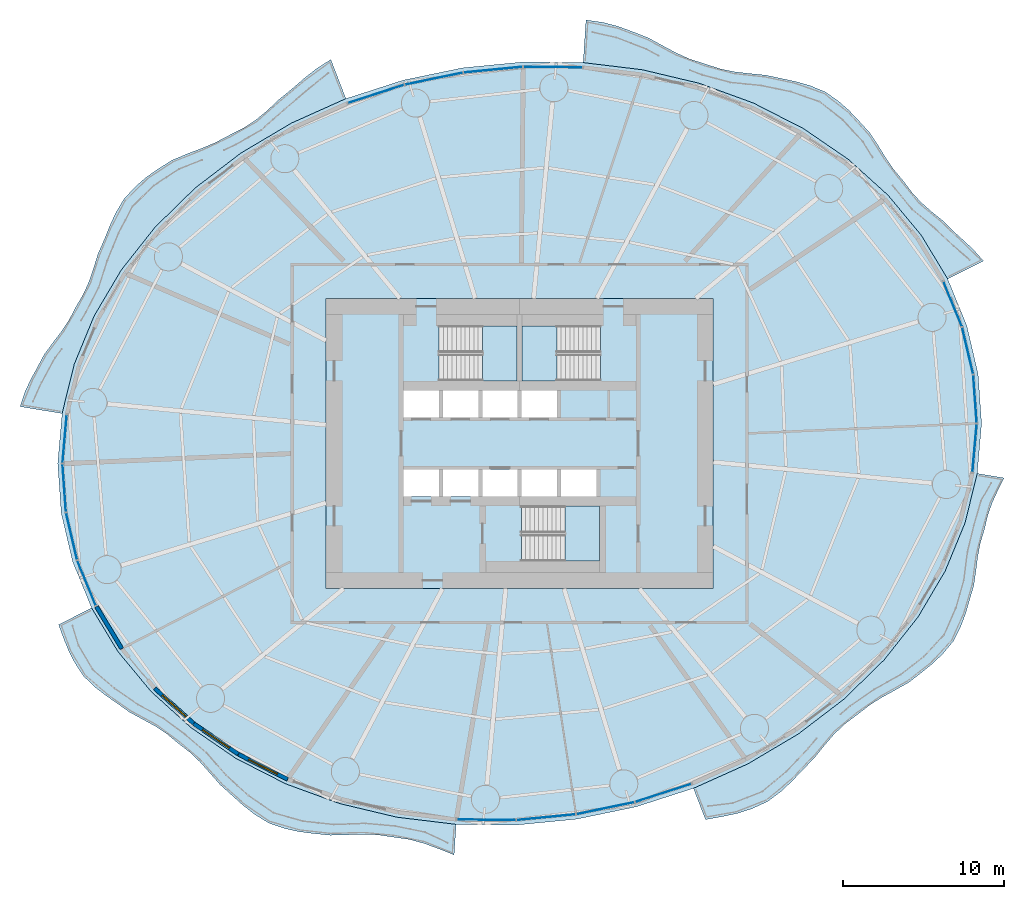
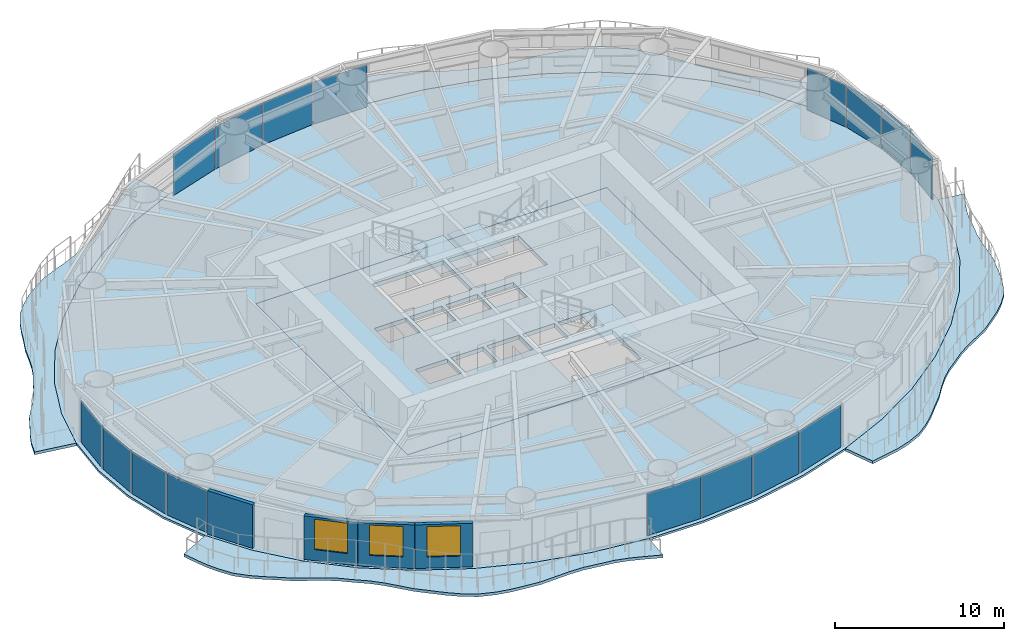
# One storey, part 7 of 16: 16 plates, 9 slabs, 4 walls, 3 windows, 3 openings, 19 elements without a shape of their own.
"""IFC4 building model written with IfcOpenShell, lengths in metres."""

from ifc_helpers import new_model, si_unit, direction, frame, frame_2d, origin, origin_2d, place, context, subcontext, project, spatial, polyline, rectangle, outline, extrude, material, layer, layer_set, type_object, element, fill, aggregate, save


model = new_model("IFC4")

# Units and contexts
model_context = context("Model", 3, precision=1e-05, world=origin(), true_north=direction((0.0, 1.0)))
body_context = subcontext(model_context, "Body", "Model", "MODEL_VIEW")
ifc_project = project(units=[si_unit("LENGTHUNIT", "METRE"), si_unit("AREAUNIT", "SQUARE_METRE"), si_unit("VOLUMEUNIT", "CUBIC_METRE"), si_unit("PLANEANGLEUNIT", "RADIAN"), si_unit("MASSUNIT", "GRAM", prefix="KILO")], contexts=[model_context])

# Site, building, storey
site_placement = place(None, origin())
site = spatial("IfcSite", under=ifc_project, at=site_placement, CompositionType="ELEMENT")
building_placement = place(site_placement, origin())
building = spatial("IfcBuilding", under=site, at=building_placement, Name="Vermilion Reach Broadcast Tower", CompositionType="ELEMENT")
storey_placement = place(building_placement, frame((0.0, 0.0, 69.300048828125)))
storey = spatial("IfcBuildingStorey", under=building, at=storey_placement, Name="L14", CompositionType="ELEMENT", Elevation=69.300048828125)

# Slabs
ifc_material_1 = material(Name="Concrete C40/50", Category="concrete")
ifc_layer_1 = layer(ifc_material_1, 0.199951171875)
ifc_layer_set_1 = layer_set([ifc_layer_1], Name="Balcony slab 200")
slab_type_1 = type_object("IfcSlabType", Name="Balcony slab 200", PredefinedType="FLOOR", material=ifc_layer_set_1)
placement_1 = place(storey_placement, frame((0.0, 0.0, -0.199951171875)))
element("IfcSlab", 1, at=placement_1, inside=storey, type_object=slab_type_1, Name="Balcony slab L14 group 1", PredefinedType="FLOOR", context=body_context, shape_type="SweptSolid", body=[
    extrude(outline(polyline([(20.542236328125, 10.201171875), (18.908447265625, 12.905029296875), (16.8486328125, 15.387939453125), (14.397705078125, 17.607421875), (11.597900390625, 19.52587890625), (8.4970703125, 21.110107421875), (5.148193359375, 22.3330078125), (1.6083984375, 23.174072265625), (-2.0615234375, 23.618408203125), (-1.887939453125, 26.260498046875), (-0.82861328125, 26.11279296875), (0.073486328125, 25.875), (0.965087890625, 25.55029296875), (1.963134765625, 25.158935546875), (2.895263671875, 24.655517578125), (3.724365234375, 24.210205078125), (4.569580078125, 23.83349609375), (5.5087890625, 23.5341796875), (6.426025390625, 23.23388671875), (7.30859375, 23.05224609375), (8.21826171875, 22.9453125), (9.253173828125, 22.84375), (10.250732421875, 22.62939453125), (11.132568359375, 22.44189453125), (11.986328125, 22.19921875), (12.951904296875, 21.80224609375), (13.785400390625, 21.217041015625), (14.426513671875, 20.65185546875), (15.0234375, 20.02197265625), (15.7080078125, 19.26708984375), (16.25830078125, 18.430419921875), (16.71044921875, 17.6982421875), (17.191162109375, 16.99755859375), (17.785888671875, 16.285400390625), (18.32568359375, 15.565185546875), (18.872314453125, 14.970947265625), (19.4814453125, 14.42822265625), (20.21728515625, 13.83544921875), (20.880615234375, 13.173828125), (21.494384765625, 12.6220703125), (22.096435546875, 12.063232421875), (22.763427734375, 11.319091796875), (20.542236328125, 10.201171875)])), origin(), (0.0, 0.0, 1.0), 0.199951171875),
])
element("IfcSlab", 2, at=placement_1, inside=storey, type_object=slab_type_1, Name="Balcony slab L14 group 2", PredefinedType="FLOOR", context=body_context, shape_type="SweptSolid", body=[
    extrude(outline(polyline([(-16.7763671875, 21.382568359375), (-20.148681640625, 19.8681640625), (-23.27880859375, 18.013671875), (-26.11328125, 15.85107421875), (-28.603759765625, 13.417236328125), (-30.707275390625, 10.753662109375), (-32.38818359375, 7.90625), (-33.617431640625, 4.923583984375), (-34.374267578125, 1.856689453125), (-36.98388671875, 2.290283203125), (-36.6630859375, 3.23486328125), (-36.322509765625, 3.96435546875), (-35.930908203125, 4.68115234375), (-35.477294921875, 5.53271484375), (-34.89111328125, 6.321044921875), (-34.387939453125, 6.98583984375), (-33.935791015625, 7.671875), (-33.5185546875, 8.46923828125), (-33.055908203125, 9.260498046875), (-32.715087890625, 10.01904296875), (-32.43994140625, 10.816650390625), (-32.152099609375, 11.744140625), (-31.75390625, 12.66162109375), (-31.42333984375, 13.481689453125), (-31.060546875, 14.2763671875), (-30.539794921875, 15.159423828125), (-29.833251953125, 15.9208984375), (-29.176513671875, 16.494384765625), (-28.45458984375, 17.001220703125), (-27.583984375, 17.55224609375), (-26.60693359375, 17.96728515625), (-25.73583984375, 18.29541015625), (-24.886474609375, 18.6513671875), (-24.017822265625, 19.109619140625), (-23.1337890625, 19.553466796875), (-22.371826171875, 20.051513671875), (-21.661865234375, 20.6376953125), (-20.912353515625, 21.340576171875), (-20.095947265625, 22.006591796875), (-19.365966796875, 22.63720703125), (-18.619384765625, 23.23046875), (-17.710205078125, 23.810302734375), (-16.7763671875, 21.382568359375)])), origin(), (0.0, 0.0, 1.0), 0.199951171875),
])
element("IfcSlab", 3, at=placement_1, inside=storey, type_object=slab_type_1, Name="Balcony slab L14 group 3", PredefinedType="FLOOR", context=body_context, shape_type="SweptSolid", body=[
    extrude(outline(polyline([(-32.542236328125, -10.201171875), (-30.908447265625, -12.905029296875), (-28.8486328125, -15.387939453125), (-26.397705078125, -17.607421875), (-23.597900390625, -19.52587890625), (-20.4970703125, -21.110107421875), (-17.148193359375, -22.3330078125), (-13.6083984375, -23.174072265625), (-9.9384765625, -23.618408203125), (-10.06298828125, -25.513427734375), (-11.051513671875, -25.1220703125), (-11.94287109375, -24.794921875), (-12.844482421875, -24.553955078125), (-13.82958984375, -24.411376953125), (-14.80322265625, -24.268798828125), (-15.72998046875, -24.234375), (-16.672119140625, -24.264892578125), (-17.737060546875, -24.294921875), (-18.774658203125, -24.1884765625), (-19.681640625, -24.073974609375), (-20.560302734375, -23.881591796875), (-21.556396484375, -23.5390625), (-22.438720703125, -22.997314453125), (-23.137451171875, -22.451416015625), (-23.80712890625, -21.848876953125), (-24.57177734375, -21.16357421875), (-25.231689453125, -20.4091796875), (-25.8134765625, -19.757080078125), (-26.43408203125, -19.161865234375), (-27.17431640625, -18.5908203125), (-27.87646484375, -18.0087890625), (-28.572998046875, -17.54638671875), (-29.31591796875, -17.13525390625), (-30.185546875, -16.668212890625), (-30.97314453125, -16.1025390625), (-31.663330078125, -15.627197265625), (-32.318603515625, -15.122802734375), (-33.046630859375, -14.425048828125), (-33.584716796875, -13.599365234375), (-33.951171875, -12.898193359375), (-34.252197265625, -12.1572265625), (-34.592041015625, -11.23291015625), (-32.542236328125, -10.201171875)])), origin(), (0.0, 0.0, 1.0), 0.199951171875),
])
element("IfcSlab", 4, at=placement_1, inside=storey, type_object=slab_type_1, Name="Balcony slab L14 group 4", PredefinedType="FLOOR", context=body_context, shape_type="SweptSolid", body=[
    extrude(outline(polyline([(4.7763671875, -21.382568359375), (8.148681640625, -19.8681640625), (11.27880859375, -18.013671875), (14.11328125, -15.85107421875), (16.603759765625, -13.417236328125), (18.707275390625, -10.753662109375), (20.38818359375, -7.90625), (21.617431640625, -4.923583984375), (22.374267578125, -1.856689453125), (24.033935546875, -2.132568359375), (23.61767578125, -2.97705078125), (23.286865234375, -3.708740234375), (23.026611328125, -4.4580078125), (22.822998046875, -5.318359375), (22.564453125, -6.186279296875), (22.4091796875, -6.99462890625), (22.302490234375, -7.822998046875), (22.166015625, -8.791748046875), (21.884765625, -9.749755859375), (21.644775390625, -10.56787109375), (21.35107421875, -11.3544921875), (20.89599609375, -12.254150390625), (20.238525390625, -13.04443359375), (19.620849609375, -13.6376953125), (18.944091796875, -14.184326171875), (18.146240234375, -14.80517578125), (17.243896484375, -15.317626953125), (16.45068359375, -15.751708984375), (15.6962890625, -16.225341796875), (14.94384765625, -16.811767578125), (14.168701171875, -17.39306640625), (13.517578125, -18.009033203125), (12.92041015625, -18.69580078125), (12.277587890625, -19.494873046875), (11.5458984375, -20.2490234375), (10.895263671875, -20.935302734375), (10.21533203125, -21.572265625), (9.362548828125, -22.208740234375), (8.386474609375, -22.65380859375), (7.500732421875, -22.937255859375), (6.576416015625, -23.135009765625), (5.52294921875, -23.3232421875), (4.7763671875, -21.382568359375)])), origin(), (0.0, 0.0, 1.0), 0.199951171875),
])
ifc_material_2 = material(Name="Concrete C40", Category="concrete")
ifc_layer_2 = layer(ifc_material_2, 0.300048828125)
ifc_layer_set_2 = layer_set([ifc_layer_2], Name="Core floor slab 300 mm Concrete C40")
slab_type_2 = type_object("IfcSlabType", Name="Core floor slab 300 mm Concrete C40", PredefinedType="FLOOR", material=ifc_layer_set_2)
slab_5_placement = place(storey_placement, frame((0.0, 0.0, -0.300048828125)))
element("IfcSlab", 5, at=slab_5_placement, inside=storey, type_object=slab_type_2, Name="L14 core floor", PredefinedType="FLOOR", context=body_context, shape_type="SweptSolid", body=[
    extrude(outline(polyline([(-18.0, -9.0), (6.0, -9.0), (6.0, 9.0), (-18.0, 9.0), (-18.0, -9.0)]), holes=[polyline([(-13.199951171875, 1.60009765625), (-11.00830078125, 1.60009765625), (-11.00830078125, 3.280029296875), (-13.199951171875, 3.280029296875), (-13.199951171875, 1.60009765625)]), polyline([(-10.75830078125, 1.60009765625), (-8.566650390625, 1.60009765625), (-8.566650390625, 3.280029296875), (-10.75830078125, 3.280029296875), (-10.75830078125, 1.60009765625)]), polyline([(-8.316650390625, 1.60009765625), (-6.125, 1.60009765625), (-6.125, 3.280029296875), (-8.316650390625, 3.280029296875), (-8.316650390625, 1.60009765625)]), polyline([(-5.875, 1.60009765625), (-3.683349609375, 1.60009765625), (-3.683349609375, 3.280029296875), (-5.875, 3.280029296875), (-5.875, 1.60009765625)]), polyline([(-13.199951171875, -3.280029296875), (-11.00830078125, -3.280029296875), (-11.00830078125, -1.60009765625), (-13.199951171875, -1.60009765625), (-13.199951171875, -3.280029296875)]), polyline([(-10.75830078125, -3.280029296875), (-8.566650390625, -3.280029296875), (-8.566650390625, -1.60009765625), (-10.75830078125, -1.60009765625), (-10.75830078125, -3.280029296875)]), polyline([(-8.316650390625, -3.280029296875), (-6.125, -3.280029296875), (-6.125, -1.60009765625), (-8.316650390625, -1.60009765625), (-8.316650390625, -3.280029296875)]), polyline([(-5.875, -3.280029296875), (-3.683349609375, -3.280029296875), (-3.683349609375, -1.60009765625), (-5.875, -1.60009765625), (-5.875, -3.280029296875)]), polyline([(-3.433349609375, -3.280029296875), (-1.24169921875, -3.280029296875), (-1.24169921875, -1.60009765625), (-3.433349609375, -1.60009765625), (-3.433349609375, -3.280029296875)]), polyline([(-10.999267578125, 3.8798828125), (-6.14990234375, 3.8798828125), (-6.14990234375, 7.300048828125), (-10.999267578125, 7.300048828125), (-10.999267578125, 3.8798828125)]), polyline([(-1.000732421875, 7.300048828125), (-5.85009765625, 7.300048828125), (-5.85009765625, 3.8798828125), (-1.000732421875, 3.8798828125), (-1.000732421875, 7.300048828125)]), polyline([(-5.8994140625, -7.300048828125), (-1.050048828125, -7.300048828125), (-1.050048828125, -3.8798828125), (-5.8994140625, -3.8798828125), (-5.8994140625, -7.300048828125)])]), origin(), (0.0, 0.0, 1.0), 0.300048828125),
])

# Stair, slab
ifc_material_3 = material(Name="Concrete C40", Category="concrete")
stair_type = type_object("IfcStairType", Name="Exit stair RC 22 risers 168 mm", PredefinedType="HALF_TURN_STAIR", material=ifc_material_3)
placement_2 = place(storey_placement, origin())
stair_1 = element("IfcStair", 6, at=placement_2, inside=storey, type_object=stair_type, Name="L14 Exit stair ST1", PredefinedType="HALF_TURN_STAIR")
ifc_material_4 = material(Name="Concrete C40", Category="concrete")
ifc_layer_3 = layer(ifc_material_4, 0.199951171875)
ifc_layer_set_3 = layer_set([ifc_layer_3], Name="Exit stair landing Concrete C40")
slab_type_3 = type_object("IfcSlabType", Name="Exit stair landing Concrete C40", PredefinedType="LANDING", material=ifc_layer_set_3)
placement_3 = place(storey_placement, frame((0.0, 0.0, 1.64990234375)))
slab_6 = element("IfcSlab", 7, at=placement_3, type_object=slab_type_3, Name="ST1 landing 1", PredefinedType="LANDING", context=body_context, shape_type="SweptSolid", body=[
    extrude(outline(polyline([(-8.300048828125, 3.8798828125), (-6.14990234375, 3.8798828125), (-6.14990234375, 7.300048828125), (-8.300048828125, 7.300048828125), (-8.300048828125, 3.8798828125)])), origin(), (0.0, 0.0, 1.0), 0.199951171875),
])
aggregate(stair_1, [slab_6])

stair_2 = element("IfcStair", 8, at=placement_2, inside=storey, type_object=stair_type, Name="L14 Exit stair ST2", PredefinedType="HALF_TURN_STAIR")
slab_7 = element("IfcSlab", 9, at=placement_3, type_object=slab_type_3, Name="ST2 landing 1", PredefinedType="LANDING", context=body_context, shape_type="SweptSolid", body=[
    extrude(outline(polyline([(-3.699951171875, 7.300048828125), (-5.85009765625, 7.300048828125), (-5.85009765625, 3.8798828125), (-3.699951171875, 3.8798828125), (-3.699951171875, 7.300048828125)])), origin(), (0.0, 0.0, 1.0), 0.199951171875),
])
aggregate(stair_2, [slab_7])

stair_3 = element("IfcStair", 10, at=placement_2, inside=storey, type_object=stair_type, Name="L14 Exit stair ST3", PredefinedType="HALF_TURN_STAIR")
slab_8 = element("IfcSlab", 11, at=placement_3, type_object=slab_type_3, Name="ST3 landing 1", PredefinedType="LANDING", context=body_context, shape_type="SweptSolid", body=[
    extrude(outline(polyline([(-3.199951171875, -7.300048828125), (-1.050048828125, -7.300048828125), (-1.050048828125, -3.8798828125), (-3.199951171875, -3.8798828125), (-3.199951171875, -7.300048828125)])), origin(), (0.0, 0.0, 1.0), 0.199951171875),
])
aggregate(stair_3, [slab_8])

# Slab
ifc_material_5 = material(Name="Concrete C40", Category="concrete")
ifc_layer_4 = layer(ifc_material_5, 0.14990234375)
ifc_layer_set_4 = layer_set([ifc_layer_4], Name="Floor slab Concrete C40 composite 150")
slab_type_4 = type_object("IfcSlabType", Name="Floor slab Concrete C40 composite 150", PredefinedType="FLOOR", material=ifc_layer_set_4)
slab_9_placement = place(storey_placement, frame((0.0, 0.0, -0.150146484375)))
element("IfcSlab", 12, at=slab_9_placement, inside=storey, type_object=slab_type_4, Name="Floor slab L14", PredefinedType="FLOOR", context=body_context, shape_type="SweptSolid", body=[
    extrude(outline(polyline([(22.4267578125, 4.319580078125), (21.7216796875, 7.322998046875), (20.542236328125, 10.201171875), (18.908447265625, 12.905029296875), (16.8486328125, 15.387939453125), (14.397705078125, 17.607421875), (11.597900390625, 19.52587890625), (8.4970703125, 21.110107421875), (5.148193359375, 22.3330078125), (1.6083984375, 23.174072265625), (-2.0615234375, 23.618408203125), (-5.798828125, 23.65869140625), (-9.53955078125, 23.294189453125), (-13.2197265625, 22.53125), (-16.7763671875, 21.382568359375), (-20.148681640625, 19.8681640625), (-23.27880859375, 18.013671875), (-26.11328125, 15.85107421875), (-28.603759765625, 13.417236328125), (-30.707275390625, 10.753662109375), (-32.38818359375, 7.90625), (-33.617431640625, 4.923583984375), (-34.374267578125, 1.856689453125), (-34.645751953125, -1.241943359375), (-34.4267578125, -4.319580078125), (-33.7216796875, -7.322998046875), (-32.542236328125, -10.201171875), (-30.908447265625, -12.905029296875), (-28.8486328125, -15.387939453125), (-26.397705078125, -17.607421875), (-23.597900390625, -19.52587890625), (-20.4970703125, -21.110107421875), (-17.148193359375, -22.3330078125), (-13.6083984375, -23.174072265625), (-9.9384765625, -23.618408203125), (-6.201171875, -23.65869140625), (-2.46044921875, -23.294189453125), (1.2197265625, -22.53125), (4.7763671875, -21.382568359375), (8.148681640625, -19.8681640625), (11.27880859375, -18.013671875), (14.11328125, -15.85107421875), (16.603759765625, -13.417236328125), (18.707275390625, -10.753662109375), (20.38818359375, -7.90625), (21.617431640625, -4.923583984375), (22.374267578125, -1.856689453125), (22.645751953125, 1.241943359375), (22.4267578125, 4.319580078125)]), holes=[polyline([(-18.0, -9.0), (6.0, -9.0), (6.0, 9.0), (-18.0, 9.0), (-18.0, -9.0)])]), origin(), (0.0, 0.0, 1.0), 0.150146484375),
])

# Curtain wall, plate
ifc_material_6 = material(Name="Low-e laminated clear glass in aluminium frame", Category="aluminium")
curtain_wall_type = type_object("IfcCurtainWallType", Name="Slot curtain wall", PredefinedType="NOTDEFINED", material=ifc_material_6)
curtain_wall_1 = element("IfcCurtainWall", 13, at=placement_2, inside=storey, type_object=curtain_wall_type, Name="Slot curtain wall L14 46", PredefinedType="NOTDEFINED")
ifc_material_7 = material(Name="Low-e laminated clear glass", Category="glass")
ifc_layer_5 = layer(ifc_material_7, 0.028076171875)
ifc_layer_set_5 = layer_set([ifc_layer_5], Name="Slot glass panel")
plate_type = type_object("IfcPlateType", Name="Slot glass panel", PredefinedType="CURTAIN_PANEL", material=ifc_layer_set_5)
plate_1_placement = place(storey_placement, frame((22.212158203125, -0.281494140625, 0.0), z_axis=(0.0, 0.0, 1.0), x_axis=(0.087234384957, 0.996187814662, 0.0)))
plate_1 = element("IfcPlate", 14, at=plate_1_placement, type_object=plate_type, Name="Slot glass panel L14 46", PredefinedType="CURTAIN_PANEL", context=body_context, shape_type="SweptSolid", body=[
    extrude(rectangle(XDim=2.983642578125, YDim=0.028076171875, at=origin_2d()), origin(), (0.0, 0.0, 1.0), 3.050048828125),
])
aggregate(curtain_wall_1, [plate_1])

curtain_wall_2 = element("IfcCurtainWall", 15, at=placement_2, inside=storey, type_object=curtain_wall_type, Name="Slot curtain wall L14 47", PredefinedType="NOTDEFINED")
plate_2_placement = place(storey_placement, frame((22.238037109375, 2.759521484375, 0.0), z_axis=(0.0, 0.0, 1.0), x_axis=(-0.070919053699, 0.997482073935, 0.0)))
plate_2 = element("IfcPlate", 16, at=plate_2_placement, type_object=plate_type, Name="Slot glass panel L14 47", PredefinedType="CURTAIN_PANEL", context=body_context, shape_type="SweptSolid", body=[
    extrude(rectangle(XDim=2.95751953125, YDim=0.028076171875, at=origin_2d()), origin(), (0.0, 0.0, 1.0), 3.050048828125),
])
aggregate(curtain_wall_2, [plate_2])

curtain_wall_3 = element("IfcCurtainWall", 17, at=placement_2, inside=storey, type_object=curtain_wall_type, Name="Slot curtain wall L14 00", PredefinedType="NOTDEFINED")
plate_3_placement = place(storey_placement, frame((21.783203125, 5.7529296875, 0.0), z_axis=(0.0, 0.0, 1.0), x_axis=(-0.228575495236, 0.973526190186, 0.0)))
plate_3 = element("IfcPlate", 18, at=plate_3_placement, type_object=plate_type, Name="Slot glass panel L14 00", PredefinedType="CURTAIN_PANEL", context=body_context, shape_type="SweptSolid", body=[
    extrude(rectangle(XDim=2.95751953125, YDim=0.028076171875, at=origin_2d()), origin(), (0.0, 0.0, 1.0), 3.050048828125),
])
aggregate(curtain_wall_3, [plate_3])

curtain_wall_4 = element("IfcCurtainWall", 19, at=placement_2, inside=storey, type_object=curtain_wall_type, Name="Slot curtain wall L14 01", PredefinedType="NOTDEFINED")
plate_4_placement = place(storey_placement, frame((20.85498046875, 8.64892578125, 0.0), z_axis=(0.0, 0.0, 1.0), x_axis=(-0.379206282577, 0.925312160978, 0.0)))
plate_4 = element("IfcPlate", 20, at=plate_4_placement, type_object=plate_type, Name="Slot glass panel L14 01", PredefinedType="CURTAIN_PANEL", context=body_context, shape_type="SweptSolid", body=[
    extrude(rectangle(XDim=2.983642578125, YDim=0.028076171875, at=origin_2d()), origin(), (0.0, 0.0, 1.0), 3.050048828125),
])
aggregate(curtain_wall_4, [plate_4])

curtain_wall_5 = element("IfcCurtainWall", 21, at=placement_2, inside=storey, type_object=curtain_wall_type, Name="Slot curtain wall L14 10", PredefinedType="NOTDEFINED")
plate_5_placement = place(storey_placement, frame((-3.93359375, 23.339111328125, 0.0), z_axis=(0.0, 0.0, 1.0), x_axis=(-0.999941914594, 0.010778099893, 0.0)))
plate_5 = element("IfcPlate", 22, at=plate_5_placement, type_object=plate_type, Name="Slot glass panel L14 10", PredefinedType="CURTAIN_PANEL", context=body_context, shape_type="SweptSolid", body=[
    extrude(rectangle(XDim=3.625, YDim=0.028076171875, at=origin_2d()), origin(), (0.0, 0.0, 1.0), 3.050048828125),
])
aggregate(curtain_wall_5, [plate_5])

curtain_wall_6 = element("IfcCurtainWall", 23, at=placement_2, inside=storey, type_object=curtain_wall_type, Name="Slot curtain wall L14 11", PredefinedType="NOTDEFINED")
plate_6_placement = place(storey_placement, frame((-7.64013671875, 23.17822265625, 0.0), z_axis=(0.0, 0.0, 1.0), x_axis=(-0.99528568607, -0.096986613015, 0.0)))
plate_6 = element("IfcPlate", 24, at=plate_6_placement, type_object=plate_type, Name="Slot glass panel L14 11", PredefinedType="CURTAIN_PANEL", context=body_context, shape_type="SweptSolid", body=[
    extrude(rectangle(XDim=3.646240234375, YDim=0.028076171875, at=origin_2d()), origin(), (0.0, 0.0, 1.0), 3.050048828125),
])
aggregate(curtain_wall_6, [plate_6])

curtain_wall_7 = element("IfcCurtainWall", 25, at=placement_2, inside=storey, type_object=curtain_wall_type, Name="Slot curtain wall L14 12", PredefinedType="NOTDEFINED")
plate_7_placement = place(storey_placement, frame((-11.31884765625, 22.619384765625, 0.0), z_axis=(0.0, 0.0, 1.0), x_axis=(-0.979172049679, -0.203032256374, 0.0)))
plate_7 = element("IfcPlate", 26, at=plate_7_placement, type_object=plate_type, Name="Slot glass panel L14 12", PredefinedType="CURTAIN_PANEL", context=body_context, shape_type="SweptSolid", body=[
    extrude(rectangle(XDim=3.646240234375, YDim=0.028076171875, at=origin_2d()), origin(), (0.0, 0.0, 1.0), 3.050048828125),
])
aggregate(curtain_wall_7, [plate_7])

curtain_wall_8 = element("IfcCurtainWall", 27, at=placement_2, inside=storey, type_object=curtain_wall_type, Name="Slot curtain wall L14 13", PredefinedType="NOTDEFINED")
plate_8_placement = place(storey_placement, frame((-14.906005859375, 21.671875, 0.0), z_axis=(0.0, 0.0, 1.0), x_axis=(-0.95160754409, -0.307315931952, 0.0)))
plate_8 = element("IfcPlate", 28, at=plate_8_placement, type_object=plate_type, Name="Slot glass panel L14 13", PredefinedType="CURTAIN_PANEL", context=body_context, shape_type="SweptSolid", body=[
    extrude(rectangle(XDim=3.625, YDim=0.028076171875, at=origin_2d()), origin(), (0.0, 0.0, 1.0), 3.050048828125),
])
aggregate(curtain_wall_8, [plate_8])

curtain_wall_9 = element("IfcCurtainWall", 29, at=placement_2, inside=storey, type_object=curtain_wall_type, Name="Slot curtain wall L14 22", PredefinedType="NOTDEFINED")
plate_9_placement = place(storey_placement, frame((-34.212158203125, 0.281494140625, 0.0), z_axis=(0.0, 0.0, 1.0), x_axis=(-0.087234384957, -0.996187814662, 0.0)))
plate_9 = element("IfcPlate", 30, at=plate_9_placement, type_object=plate_type, Name="Slot glass panel L14 22", PredefinedType="CURTAIN_PANEL", context=body_context, shape_type="SweptSolid", body=[
    extrude(rectangle(XDim=2.983642578125, YDim=0.028076171875, at=origin_2d()), origin(), (0.0, 0.0, 1.0), 3.050048828125),
])
aggregate(curtain_wall_9, [plate_9])

curtain_wall_10 = element("IfcCurtainWall", 31, at=placement_2, inside=storey, type_object=curtain_wall_type, Name="Slot curtain wall L14 23", PredefinedType="NOTDEFINED")
plate_10_placement = place(storey_placement, frame((-34.238037109375, -2.759521484375, 0.0), z_axis=(0.0, 0.0, 1.0), x_axis=(0.070919053699, -0.997482073935, 0.0)))
plate_10 = element("IfcPlate", 32, at=plate_10_placement, type_object=plate_type, Name="Slot glass panel L14 23", PredefinedType="CURTAIN_PANEL", context=body_context, shape_type="SweptSolid", body=[
    extrude(rectangle(XDim=2.95751953125, YDim=0.028076171875, at=origin_2d()), origin(), (0.0, 0.0, 1.0), 3.050048828125),
])
aggregate(curtain_wall_10, [plate_10])

curtain_wall_11 = element("IfcCurtainWall", 33, at=placement_2, inside=storey, type_object=curtain_wall_type, Name="Slot curtain wall L14 24", PredefinedType="NOTDEFINED")
plate_11_placement = place(storey_placement, frame((-33.783203125, -5.7529296875, 0.0), z_axis=(0.0, 0.0, 1.0), x_axis=(0.228575495236, -0.973526190186, 0.0)))
plate_11 = element("IfcPlate", 34, at=plate_11_placement, type_object=plate_type, Name="Slot glass panel L14 24", PredefinedType="CURTAIN_PANEL", context=body_context, shape_type="SweptSolid", body=[
    extrude(rectangle(XDim=2.95751953125, YDim=0.028076171875, at=origin_2d()), origin(), (0.0, 0.0, 1.0), 3.050048828125),
])
aggregate(curtain_wall_11, [plate_11])

curtain_wall_12 = element("IfcCurtainWall", 35, at=placement_2, inside=storey, type_object=curtain_wall_type, Name="Slot curtain wall L14 25", PredefinedType="NOTDEFINED")
plate_12_placement = place(storey_placement, frame((-32.85498046875, -8.64892578125, 0.0), z_axis=(0.0, 0.0, 1.0), x_axis=(0.379206282577, -0.925312160978, 0.0)))
plate_12 = element("IfcPlate", 36, at=plate_12_placement, type_object=plate_type, Name="Slot glass panel L14 25", PredefinedType="CURTAIN_PANEL", context=body_context, shape_type="SweptSolid", body=[
    extrude(rectangle(XDim=2.983642578125, YDim=0.028076171875, at=origin_2d()), origin(), (0.0, 0.0, 1.0), 3.050048828125),
])
aggregate(curtain_wall_12, [plate_12])

curtain_wall_13 = element("IfcCurtainWall", 37, at=placement_2, inside=storey, type_object=curtain_wall_type, Name="Slot curtain wall L14 34", PredefinedType="NOTDEFINED")
plate_13_placement = place(storey_placement, frame((-8.06640625, -23.339111328125, 0.0), z_axis=(0.0, 0.0, 1.0), x_axis=(0.999941914594, -0.010778099893, 0.0)))
plate_13 = element("IfcPlate", 38, at=plate_13_placement, type_object=plate_type, Name="Slot glass panel L14 34", PredefinedType="CURTAIN_PANEL", context=body_context, shape_type="SweptSolid", body=[
    extrude(rectangle(XDim=3.625, YDim=0.028076171875, at=origin_2d()), origin(), (0.0, 0.0, 1.0), 3.050048828125),
])
aggregate(curtain_wall_13, [plate_13])

curtain_wall_14 = element("IfcCurtainWall", 39, at=placement_2, inside=storey, type_object=curtain_wall_type, Name="Slot curtain wall L14 35", PredefinedType="NOTDEFINED")
plate_14_placement = place(storey_placement, frame((-4.35986328125, -23.17822265625, 0.0), z_axis=(0.0, 0.0, 1.0), x_axis=(0.99528568607, 0.096986613015, 0.0)))
plate_14 = element("IfcPlate", 40, at=plate_14_placement, type_object=plate_type, Name="Slot glass panel L14 35", PredefinedType="CURTAIN_PANEL", context=body_context, shape_type="SweptSolid", body=[
    extrude(rectangle(XDim=3.646240234375, YDim=0.028076171875, at=origin_2d()), origin(), (0.0, 0.0, 1.0), 3.050048828125),
])
aggregate(curtain_wall_14, [plate_14])

curtain_wall_15 = element("IfcCurtainWall", 41, at=placement_2, inside=storey, type_object=curtain_wall_type, Name="Slot curtain wall L14 36", PredefinedType="NOTDEFINED")
plate_15_placement = place(storey_placement, frame((-0.68115234375, -22.619384765625, 0.0), z_axis=(0.0, 0.0, 1.0), x_axis=(0.979172049679, 0.203032256374, 0.0)))
plate_15 = element("IfcPlate", 42, at=plate_15_placement, type_object=plate_type, Name="Slot glass panel L14 36", PredefinedType="CURTAIN_PANEL", context=body_context, shape_type="SweptSolid", body=[
    extrude(rectangle(XDim=3.646240234375, YDim=0.028076171875, at=origin_2d()), origin(), (0.0, 0.0, 1.0), 3.050048828125),
])
aggregate(curtain_wall_15, [plate_15])

curtain_wall_16 = element("IfcCurtainWall", 43, at=placement_2, inside=storey, type_object=curtain_wall_type, Name="Slot curtain wall L14 37", PredefinedType="NOTDEFINED")
plate_16_placement = place(storey_placement, frame((2.906005859375, -21.671875, 0.0), z_axis=(0.0, 0.0, 1.0), x_axis=(0.95160754409, 0.307315931952, 0.0)))
plate_16 = element("IfcPlate", 44, at=plate_16_placement, type_object=plate_type, Name="Slot glass panel L14 37", PredefinedType="CURTAIN_PANEL", context=body_context, shape_type="SweptSolid", body=[
    extrude(rectangle(XDim=3.625, YDim=0.028076171875, at=origin_2d()), origin(), (0.0, 0.0, 1.0), 3.050048828125),
])
aggregate(curtain_wall_16, [plate_16])

# Wall
ifc_material_8 = material(Name="Terracotta rainscreen cladding", Category="masonry")
ifc_layer_6 = layer(ifc_material_8, 0.25)
ifc_layer_set_6 = layer_set([ifc_layer_6], Name="Terracotta rainscreen wall 250")
wall_type = type_object("IfcWallType", Name="Terracotta rainscreen wall 250", PredefinedType="SOLIDWALL", material=ifc_layer_set_6)
wall_1_placement = place(storey_placement, frame((-32.245849609375, -10.11328125, 0.0), z_axis=(0.0, 0.0, 1.0), x_axis=(0.517204963357, -0.855861569343, 0.0)))
element("IfcWall", 45, at=wall_1_placement, inside=storey, type_object=wall_type, Name="External wall L14 26", PredefinedType="SOLIDWALL", context=body_context, shape_type="SweptSolid", body=[
    extrude(rectangle(XDim=3.045166015625, YDim=0.25, at=frame_2d((1.5224609375, 0.0))), origin(), (0.0, 0.0, 1.0), 3.14990234375),
])

# Wall, opening, window
wall_2_placement = place(storey_placement, frame((-28.62255859375, -15.18896484375, 0.0), z_axis=(0.0, 0.0, 1.0), x_axis=(0.741210741085, -0.671272401712, 0.0)))
wall_2 = element("IfcWall", 46, at=wall_2_placement, inside=storey, type_object=wall_type, Name="External wall L14 28", PredefinedType="SOLIDWALL", context=body_context, shape_type="SweptSolid", body=[
    extrude(rectangle(XDim=3.239501953125, YDim=0.25, at=frame_2d((1.61962890625, 0.0))), origin(), (0.0, 0.0, 1.0), 3.14990234375),
])
opening_1_placement = place(wall_2_placement, frame((0.619873046875, 0.0, 0.800048828125)))
opening_1 = element("IfcOpeningElement", 47, at=opening_1_placement, cuts=wall_2, Name="Opening W01", PredefinedType="OPENING", context=body_context, shape_type="SweptSolid", body=[
    extrude(rectangle(XDim=2.0, YDim=2.199951171875, at=frame_2d((1.0, 1.10009765625))), frame((0.0, 0.135009765625, 0.0), z_axis=(0.0, -1.0, 0.0), x_axis=(1.0, 0.0, 0.0)), (0.0, 0.0, 1.0), 0.27001953125),
])
ifc_material_9 = material(Name="Low-e laminated clear glass in aluminium frame", Category="aluminium")
window_type = type_object("IfcWindowType", Name="Punched window 2000 x 2200 sill 800", PartitioningType="SINGLE_PANEL", PredefinedType="WINDOW", material=ifc_material_9)
window_1_placement = place(opening_1_placement, origin())
window_1 = element("IfcWindow", 48, at=window_1_placement, inside=storey, type_object=window_type, Name="Window L14 28", OverallHeight=2.199951171875, OverallWidth=2.0, PartitioningType="SINGLE_PANEL", PredefinedType="WINDOW", context=body_context, shape_type="SweptSolid", body=[
    extrude(rectangle(XDim=2.0, YDim=2.199951171875, at=frame_2d((1.0, 1.10009765625))), frame((0.0, 0.030029296875, 0.0), z_axis=(0.0, -1.0, 0.0), x_axis=(1.0, 0.0, 0.0)), (0.0, 0.0, 1.0), 0.06005859375),
])
fill(opening_1, window_1)

wall_3_placement = place(storey_placement, frame((-26.201904296875, -17.37890625, 0.0), z_axis=(0.0, 0.0, 1.0), x_axis=(0.824956428259, -0.565196330026, 0.0)))
wall_3 = element("IfcWall", 49, at=wall_3_placement, inside=storey, type_object=wall_type, Name="External wall L14 29", PredefinedType="SOLIDWALL", context=body_context, shape_type="SweptSolid", body=[
    extrude(rectangle(XDim=3.330078125, YDim=0.25, at=frame_2d((1.6650390625, 0.0))), origin(), (0.0, 0.0, 1.0), 3.14990234375),
])
opening_2_placement = place(wall_3_placement, frame((0.6650390625, 0.0, 0.800048828125)))
opening_2 = element("IfcOpeningElement", 50, at=opening_2_placement, cuts=wall_3, Name="Opening W01", PredefinedType="OPENING", context=body_context, shape_type="SweptSolid", body=[
    extrude(rectangle(XDim=2.0, YDim=2.199951171875, at=frame_2d((1.0, 1.10009765625))), frame((0.0, 0.135009765625, 0.0), z_axis=(0.0, -1.0, 0.0), x_axis=(1.0, 0.0, 0.0)), (0.0, 0.0, 1.0), 0.27001953125),
])
window_2_placement = place(opening_2_placement, origin())
window_2 = element("IfcWindow", 51, at=window_2_placement, inside=storey, type_object=window_type, Name="Window L14 29", OverallHeight=2.199951171875, OverallWidth=2.0, PartitioningType="SINGLE_PANEL", PredefinedType="WINDOW", context=body_context, shape_type="SweptSolid", body=[
    extrude(rectangle(XDim=2.0, YDim=2.199951171875, at=frame_2d((1.0, 1.10009765625))), frame((0.0, 0.030029296875, 0.0), z_axis=(0.0, -1.0, 0.0), x_axis=(1.0, 0.0, 0.0)), (0.0, 0.0, 1.0), 0.06005859375),
])
fill(opening_2, window_2)

wall_4_placement = place(storey_placement, frame((-23.43408203125, -19.2734375, 0.0), z_axis=(0.0, 0.0, 1.0), x_axis=(0.890540062844, -0.454904821331, 0.0)))
wall_4 = element("IfcWall", 52, at=wall_4_placement, inside=storey, type_object=wall_type, Name="External wall L14 30", PredefinedType="SOLIDWALL", context=body_context, shape_type="SweptSolid", body=[
    extrude(rectangle(XDim=3.4208984375, YDim=0.25, at=frame_2d((1.71044921875, 0.0))), origin(), (0.0, 0.0, 1.0), 3.14990234375),
])
opening_3_placement = place(wall_4_placement, frame((0.71044921875, 0.0, 0.800048828125)))
opening_3 = element("IfcOpeningElement", 53, at=opening_3_placement, cuts=wall_4, Name="Opening W01", PredefinedType="OPENING", context=body_context, shape_type="SweptSolid", body=[
    extrude(rectangle(XDim=2.0, YDim=2.199951171875, at=frame_2d((1.0, 1.10009765625))), frame((0.0, 0.135009765625, 0.0), z_axis=(0.0, -1.0, 0.0), x_axis=(1.0, 0.0, 0.0)), (0.0, 0.0, 1.0), 0.27001953125),
])
window_3_placement = place(opening_3_placement, origin())
window_3 = element("IfcWindow", 54, at=window_3_placement, inside=storey, type_object=window_type, Name="Window L14 30", OverallHeight=2.199951171875, OverallWidth=2.0, PartitioningType="SINGLE_PANEL", PredefinedType="WINDOW", context=body_context, shape_type="SweptSolid", body=[
    extrude(rectangle(XDim=2.0, YDim=2.199951171875, at=frame_2d((1.0, 1.10009765625))), frame((0.0, 0.030029296875, 0.0), z_axis=(0.0, -1.0, 0.0), x_axis=(1.0, 0.0, 0.0)), (0.0, 0.0, 1.0), 0.06005859375),
])
fill(opening_3, window_3)

save(model, "model.ifc")
